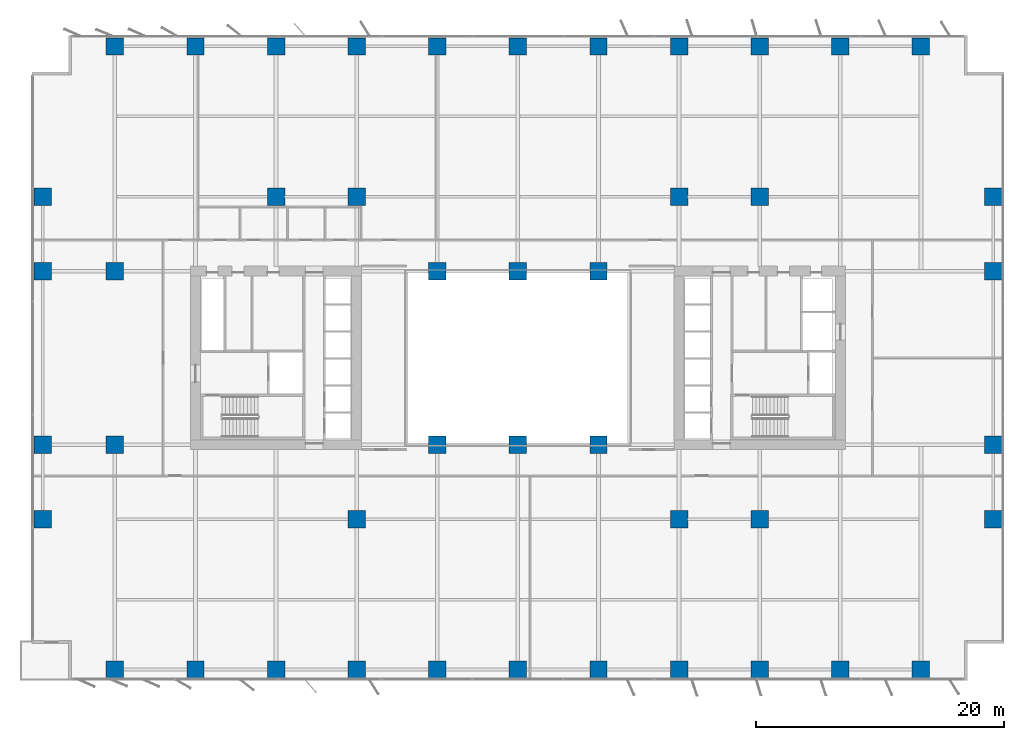
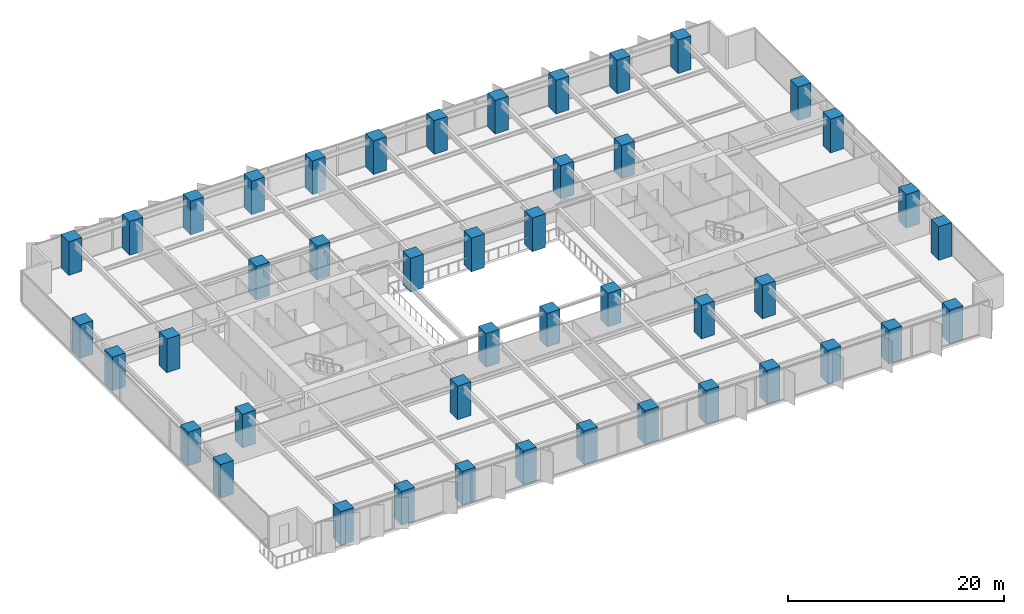
# One storey, part 1 of 20: 45 columns.
"""IFC4 building model written with IfcOpenShell, lengths in metres."""

import ifcopenshell
import ifcopenshell.guid

model = None  # the IFC model being written
_history = None  # IfcOwnerHistory: only IFC2X3 demands one
_inside = {}  # id of a spatial element -> (the spatial element, [elements in it])
_under = {}  # id of a project, library or spatial element -> (it, [spatial elements below it])
_declared = {}  # id of a project -> (the project, [libraries it declares])
_typed = {}  # id of a type object -> (the type object, [elements of that type])
_made_of = {}  # id of a material, layer set ... -> (it, [elements and type objects made of it])


def new_model(schema):
    """Start an empty IFC model of exactly this schema.

    Asked for "IFC4X3", IfcOpenShell would pick the latest addendum, in which some entities
    have other attributes; the version numbers below select the first issue.
    IFC2X3 requires an IfcOwnerHistory on every rooted entity: one is made here for all.
    """
    global model, _history
    if schema == "IFC4X3":
        model = ifcopenshell.file(schema_version=(4, 3, 0, 0))
    else:
        model = ifcopenshell.file(schema=schema)
    _inside.clear()
    _under.clear()
    _declared.clear()
    _typed.clear()
    _made_of.clear()
    _history = None
    if model.schema == "IFC2X3":
        org = make("IfcOrganization", Name="unknown")
        user = make(
            "IfcPersonAndOrganization",
            ThePerson=make("IfcPerson", FamilyName="unknown"),
            TheOrganization=org,
        )
        app = make(
            "IfcApplication",
            ApplicationDeveloper=org,
            Version="unknown",
            ApplicationFullName="unknown",
            ApplicationIdentifier="unknown",
        )
        _history = make(
            "IfcOwnerHistory",
            OwningUser=user,
            OwningApplication=app,
            ChangeAction="ADDED",
            CreationDate=0,
        )
    return model


def make(cls, **values):
    """One entity of the class cls with the attributes given. An attribute that is None is left unset."""
    return model.create_entity(
        cls, **{name: value for name, value in values.items() if value is not None}
    )


def rooted(cls, **values):
    """An entity with a GlobalId (a new one), such as an element, a storey or a relation."""
    return make(cls, GlobalId=ifcopenshell.guid.new(), OwnerHistory=_history, **values)


def si_unit(unit_type, name, prefix=None):
    """IfcSIUnit, for example si_unit("LENGTHUNIT", "METRE", prefix="MILLI")."""
    return make("IfcSIUnit", UnitType=unit_type, Prefix=prefix, Name=name)


def assignment(units):
    """IfcUnitAssignment: the units of a project."""
    return None if units is None else make("IfcUnitAssignment", Units=units)


def point(xyz):
    """IfcCartesianPoint."""
    return None if xyz is None else make("IfcCartesianPoint", Coordinates=xyz)


def direction(xyz):
    """IfcDirection."""
    return None if xyz is None else make("IfcDirection", DirectionRatios=xyz)


def frame(location, z_axis=None, x_axis=None):
    """IfcAxis2Placement3D, a coordinate frame: its origin and axes. An axis left out is left unset."""
    return make(
        "IfcAxis2Placement3D",
        Location=point(location),
        Axis=direction(z_axis),
        RefDirection=direction(x_axis),
    )


def frame_2d(location, x_axis=None):
    """IfcAxis2Placement2D, a coordinate frame in the plane: its origin and x axis."""
    return make(
        "IfcAxis2Placement2D", Location=point(location), RefDirection=direction(x_axis)
    )


def origin():
    """The frame at (0, 0, 0) with its axes left unset."""
    return frame((0.0, 0.0, 0.0))


def origin_2d():
    """The frame at (0, 0) in the plane with its x axis left unset."""
    return frame_2d((0.0, 0.0))


def place(relative_to, where):
    """IfcLocalPlacement: puts the frame where relative to a parent placement (None: the world)."""
    return make(
        "IfcLocalPlacement", PlacementRelTo=relative_to, RelativePlacement=where
    )


def context(
    kind, dimensions, precision=None, world=None, true_north=None, identifier=None
):
    """IfcGeometricRepresentationContext, for example the 3D "Model" context."""
    return make(
        "IfcGeometricRepresentationContext",
        ContextIdentifier=identifier,
        ContextType=kind,
        CoordinateSpaceDimension=dimensions,
        Precision=precision,
        WorldCoordinateSystem=world,
        TrueNorth=true_north,
    )


def subcontext(parent, identifier, kind, view, scale=None):
    """IfcGeometricRepresentationSubContext, for example "Body" below "Model"."""
    return make(
        "IfcGeometricRepresentationSubContext",
        ContextIdentifier=identifier,
        ContextType=kind,
        ParentContext=parent,
        TargetScale=scale,
        TargetView=view,
    )


def project(units=None, contexts=None):
    """IfcProject with its units and contexts."""
    return rooted(
        "IfcProject",
        Name="project",
        RepresentationContexts=contexts,
        UnitsInContext=assignment(units),
    )


def spatial(cls, under=None, at=None, **own):
    """A site, building, storey or space (cls), placed at a placement, below another one or the project."""
    s = rooted(cls, ObjectPlacement=at, **own)
    if under is not None:
        _under.setdefault(under.id(), (under, []))[1].append(s)
    return s


def profile(cls, at=None, kind="AREA", **sizes):
    """A parametric profile (cls). Its sizes go by their IFC names, for example OverallWidth=200.0."""
    return make(cls, ProfileType=kind, Position=at, **sizes)


def rectangle(**sizes):
    """IfcRectangleProfileDef."""
    return profile("IfcRectangleProfileDef", **sizes)


def extrude(swept, where, along, depth):
    """IfcExtrudedAreaSolid: the profile swept, set in the frame where, extruded along a direction by depth."""
    return make(
        "IfcExtrudedAreaSolid",
        SweptArea=swept,
        Position=where,
        ExtrudedDirection=direction(along),
        Depth=depth,
    )


def shape(context_of_items, identifier, shape_type, items):
    """IfcShapeRepresentation: the items that make up one representation, for example the "Body"."""
    return make(
        "IfcShapeRepresentation",
        ContextOfItems=context_of_items,
        RepresentationIdentifier=identifier,
        RepresentationType=shape_type,
        Items=items,
    )


def material(Name=None, Category=None):
    """IfcMaterial."""
    return make("IfcMaterial", Name=Name, Category=Category)


def material_profile(
    of_material, cross_section, Name=None, Category=None, Priority=None
):
    """IfcMaterialProfile: a cross section and its material."""
    return make(
        "IfcMaterialProfile",
        Name=Name,
        Material=of_material,
        Profile=cross_section,
        Priority=Priority,
        Category=Category,
    )


def profile_set(profiles, Name=None, composite=None):
    """IfcMaterialProfileSet."""
    return make(
        "IfcMaterialProfileSet",
        Name=Name,
        MaterialProfiles=profiles,
        CompositeProfile=composite,
    )


def made_of(thing, what):
    """Note that an element or type object is made of a material, layer set ...; save() writes the relation."""
    if what is not None:
        _made_of.setdefault(what.id(), (what, []))[1].append(thing)
    return thing


def type_object(cls, material=None, **own):
    """A type object (cls), such as IfcWallType, which elements share."""
    return made_of(rooted(cls, **own), material)


def element(
    cls,
    number,
    at=None,
    inside=None,
    cuts=None,
    type_object=None,
    material=None,
    context=None,
    identifier="Body",
    shape_type=None,
    held_by="IfcProductDefinitionShape",
    body=None,
    shapes=None,
    **own,
):
    """One element of the class cls, such as IfcWall. Its Tag is "e" and its number.

    at: its placement. inside: the storey or other place that contains it. cuts: it is an
    opening in that element (IfcRelVoidsElement). A single representation is given by context,
    identifier, shape_type and body (its items); several are given by shapes. held_by: the class
    of the entity that holds the representations. save() writes the other relations.
    """
    e = rooted(cls, Tag="e%d" % number, ObjectPlacement=at, **own)
    if body is not None:
        shapes = [shape(context, identifier, shape_type, body)]
    if shapes is not None:
        e.Representation = make(held_by, Representations=shapes)
    if inside is not None:
        _inside.setdefault(inside.id(), (inside, []))[1].append(e)
    if cuts is not None:
        rooted(
            "IfcRelVoidsElement", RelatingBuildingElement=cuts, RelatedOpeningElement=e
        )
    if type_object is not None:
        _typed.setdefault(type_object.id(), (type_object, []))[1].append(e)
    return made_of(e, material)


def aggregate(whole, parts):
    """IfcRelAggregates: a whole, such as a stair, and the parts it consists of."""
    return rooted("IfcRelAggregates", RelatingObject=whole, RelatedObjects=parts)


def save(model, path):
    """Write the relations noted so far, then the file.

    IfcRelAggregates (storeys below a building ...), IfcRelContainedInSpatialStructure (elements
    in a storey), IfcRelDefinesByType, IfcRelAssociatesMaterial and IfcRelDeclares: one each for
    every whole, place, type object, material and project.
    """
    for whole, parts in _under.values():
        aggregate(whole, parts)
    for where, things in _inside.values():
        rooted(
            "IfcRelContainedInSpatialStructure",
            RelatedElements=things,
            RelatingStructure=where,
        )
    for kind, things in _typed.values():
        rooted("IfcRelDefinesByType", RelatedObjects=things, RelatingType=kind)
    for what, things in _made_of.values():
        rooted("IfcRelAssociatesMaterial", RelatedObjects=things, RelatingMaterial=what)
    for by, libraries in _declared.values():
        rooted("IfcRelDeclares", RelatingContext=by, RelatedDefinitions=libraries)
    model.write(path)


model = new_model("IFC4")

# Units and contexts
model_context = context("Model", 3, precision=1e-05, world=origin(), true_north=direction((0.0, 1.0)))
body_context = subcontext(model_context, "Body", "Model", "MODEL_VIEW")
ifc_project = project(units=[si_unit("LENGTHUNIT", "METRE"), si_unit("AREAUNIT", "SQUARE_METRE"), si_unit("VOLUMEUNIT", "CUBIC_METRE"), si_unit("PLANEANGLEUNIT", "RADIAN"), si_unit("MASSUNIT", "GRAM", prefix="KILO")], contexts=[model_context])

# Site, building, storey
site_placement = place(None, origin())
site = spatial("IfcSite", under=ifc_project, at=site_placement, CompositionType="ELEMENT")
building_placement = place(site_placement, origin())
building = spatial("IfcBuilding", under=site, at=building_placement, Name="Putna Gate Headquarters", CompositionType="ELEMENT")
storey_placement = place(building_placement, frame((0.0, 0.0, 27.800048828125)))
storey = spatial("IfcBuildingStorey", under=building, at=storey_placement, Name="L05", CompositionType="ELEMENT", Elevation=27.800048828125)

# Columns
ifc_material = material(Name="Concrete C60/75", Category="concrete")
ifc_material_profile_1 = material_profile(ifc_material, rectangle(XDim=1.39990234375, YDim=1.39990234375, at=origin_2d()), Name="Concrete C60/75")
ifc_profile_set_1 = profile_set([ifc_material_profile_1], Name="Concrete C60/75")
column_type_1 = type_object("IfcColumnType", Name="COL-RC1400-EXT", PredefinedType="COLUMN", material=ifc_profile_set_1)
for number, where, z_axis, x_axis, name in (
    (1, (6.5, 0.8798828125, 0.0), (0.0, 0.0, 1.0), (1.0, 0.0, 0.0), "L05 Column CP-S6"),
    (2, (6.5, 51.1201171875, 0.0), (0.0, 0.0, 1.0), (1.0, 0.0, 0.0), "L05 Column CP-N6"),
    (3, (13.0, 0.8798828125, 0.0), (0.0, 0.0, 1.0), (1.0, 0.0, 0.0), "L05 Column CP-S13"),
    (4, (13.0, 51.1201171875, 0.0), (0.0, 0.0, 1.0), (1.0, 0.0, 0.0), "L05 Column CP-N13"),
    (5, (19.5, 0.8798828125, 0.0), (0.0, 0.0, 1.0), (1.0, 0.0, 0.0), "L05 Column CP-S19"),
    (6, (19.5, 51.1201171875, 0.0), (0.0, 0.0, 1.0), (1.0, 0.0, 0.0), "L05 Column CP-N19"),
    (7, (26.0, 0.8798828125, 0.0), (0.0, 0.0, 1.0), (1.0, 0.0, 0.0), "L05 Column CP-S26"),
    (8, (26.0, 51.1201171875, 0.0), (0.0, 0.0, 1.0), (1.0, 0.0, 0.0), "L05 Column CP-N26"),
    (9, (32.5, 0.8798828125, 0.0), (0.0, 0.0, 1.0), (1.0, 0.0, 0.0), "L05 Column CP-S32"),
    (10, (32.5, 51.1201171875, 0.0), (0.0, 0.0, 1.0), (1.0, 0.0, 0.0), "L05 Column CP-N32"),
    (11, (39.0, 0.8798828125, 0.0), (0.0, 0.0, 1.0), (1.0, 0.0, 0.0), "L05 Column CP-S39"),
    (12, (39.0, 51.1201171875, 0.0), (0.0, 0.0, 1.0), (1.0, 0.0, 0.0), "L05 Column CP-N39"),
    (13, (45.5, 0.8798828125, 0.0), (0.0, 0.0, 1.0), (1.0, 0.0, 0.0), "L05 Column CP-S45"),
    (14, (45.5, 51.1201171875, 0.0), (0.0, 0.0, 1.0), (1.0, 0.0, 0.0), "L05 Column CP-N45"),
    (15, (52.0, 0.8798828125, 0.0), (0.0, 0.0, 1.0), (1.0, 0.0, 0.0), "L05 Column CP-S52"),
    (16, (52.0, 51.1201171875, 0.0), (0.0, 0.0, 1.0), (1.0, 0.0, 0.0), "L05 Column CP-N52"),
    (17, (58.5, 0.8798828125, 0.0), (0.0, 0.0, 1.0), (1.0, 0.0, 0.0), "L05 Column CP-S58"),
    (18, (58.5, 51.1201171875, 0.0), (0.0, 0.0, 1.0), (1.0, 0.0, 0.0), "L05 Column CP-N58"),
    (19, (65.0, 0.8798828125, 0.0), (0.0, 0.0, 1.0), (1.0, 0.0, 0.0), "L05 Column CP-S65"),
    (20, (65.0, 51.1201171875, 0.0), (0.0, 0.0, 1.0), (1.0, 0.0, 0.0), "L05 Column CP-N65"),
    (21, (71.5, 0.8798828125, 0.0), (0.0, 0.0, 1.0), (1.0, 0.0, 0.0), "L05 Column CP-S71"),
    (22, (71.5, 51.1201171875, 0.0), (0.0, 0.0, 1.0), (1.0, 0.0, 0.0), "L05 Column CP-N71"),
    (23, (0.679931640625, 13.0, 0.0), (0.0, 0.0, 1.0), (1.0, 0.0, 0.0), "L05 Column CP-W13"),
    (24, (77.320068359375, 13.0, 0.0), (0.0, 0.0, 1.0), (1.0, 0.0, 0.0), "L05 Column CP-E13"),
    (25, (0.679931640625, 19.0, 0.0), (0.0, 0.0, 1.0), (1.0, 0.0, 0.0), "L05 Column CP-W19"),
    (26, (77.320068359375, 19.0, 0.0), (0.0, 0.0, 1.0), (1.0, 0.0, 0.0), "L05 Column CP-E19"),
    (27, (0.679931640625, 33.0, 0.0), (0.0, 0.0, 1.0), (1.0, 0.0, 0.0), "L05 Column CP-W33"),
    (28, (77.320068359375, 33.0, 0.0), (0.0, 0.0, 1.0), (1.0, 0.0, 0.0), "L05 Column CP-E33"),
    (29, (0.679931640625, 39.0, 0.0), (0.0, 0.0, 1.0), (1.0, 0.0, 0.0), "L05 Column CP-W39"),
    (30, (77.320068359375, 39.0, 0.0), (0.0, 0.0, 1.0), (1.0, 0.0, 0.0), "L05 Column CP-E39"),
):
    element("IfcColumn", number, at=place(storey_placement, frame(where, z_axis=z_axis, x_axis=x_axis)), inside=storey, type_object=column_type_1, Name=name, PredefinedType="COLUMN", context=body_context, shape_type="SweptSolid", body=[
        extrude(rectangle(XDim=1.39990234375, YDim=1.39990234375, at=origin_2d()), origin(), (0.0, 0.0, 1.0), 3.800048828125),
    ])
ifc_material_profile_2 = material_profile(ifc_material, rectangle(XDim=1.39990234375, YDim=1.39990234375, at=origin_2d()), Name="Concrete C60/75")
ifc_profile_set_2 = profile_set([ifc_material_profile_2], Name="Concrete C60/75")
column_type_2 = type_object("IfcColumnType", Name="COL-RC1400-INT", PredefinedType="COLUMN", material=ifc_profile_set_2)
for number, where, z_axis, x_axis, name in (
    (31, (19.5, 39.0, 0.0), (0.0, 0.0, 1.0), (1.0, 0.0, 0.0), "L05 Column CSI-WN"),
    (32, (58.5, 13.0, 0.0), (0.0, 0.0, 1.0), (1.0, 0.0, 0.0), "L05 Column CSI-ES"),
    (33, (58.5, 39.0, 0.0), (0.0, 0.0, 1.0), (1.0, 0.0, 0.0), "L05 Column CSI-EN"),
    (34, (6.5, 19.0, 0.0), (0.0, 0.0, 1.0), (1.0, 0.0, 0.0), "L05 Column CSI-WM"),
    (35, (6.5, 33.0, 0.0), (0.0, 0.0, 1.0), (1.0, 0.0, 0.0), "L05 Column CSI-WNW"),
    (36, (32.5, 19.0, 0.0), (0.0, 0.0, 1.0), (1.0, 0.0, 0.0), "L05 Column CAI-S32"),
    (37, (32.5, 33.0, 0.0), (0.0, 0.0, 1.0), (1.0, 0.0, 0.0), "L05 Column CAI-N32"),
    (38, (39.0, 19.0, 0.0), (0.0, 0.0, 1.0), (1.0, 0.0, 0.0), "L05 Column CAI-S39"),
    (39, (39.0, 33.0, 0.0), (0.0, 0.0, 1.0), (1.0, 0.0, 0.0), "L05 Column CAI-N39"),
    (40, (45.5, 19.0, 0.0), (0.0, 0.0, 1.0), (1.0, 0.0, 0.0), "L05 Column CAI-S45"),
    (41, (45.5, 33.0, 0.0), (0.0, 0.0, 1.0), (1.0, 0.0, 0.0), "L05 Column CAI-N45"),
    (42, (26.0, 13.0, 0.0), (0.0, 0.0, 1.0), (1.0, 0.0, 0.0), "L05 Column CAP-WS"),
    (43, (26.0, 39.0, 0.0), (0.0, 0.0, 1.0), (1.0, 0.0, 0.0), "L05 Column CAP-WN"),
    (44, (52.0, 13.0, 0.0), (0.0, 0.0, 1.0), (1.0, 0.0, 0.0), "L05 Column CAP-ES"),
    (45, (52.0, 39.0, 0.0), (0.0, 0.0, 1.0), (1.0, 0.0, 0.0), "L05 Column CAP-EN"),
):
    element("IfcColumn", number, at=place(storey_placement, frame(where, z_axis=z_axis, x_axis=x_axis)), inside=storey, type_object=column_type_2, Name=name, PredefinedType="COLUMN", context=body_context, shape_type="SweptSolid", body=[
        extrude(rectangle(XDim=1.39990234375, YDim=1.39990234375, at=origin_2d()), origin(), (0.0, 0.0, 1.0), 3.800048828125),
    ])

save(model, "model.ifc")
